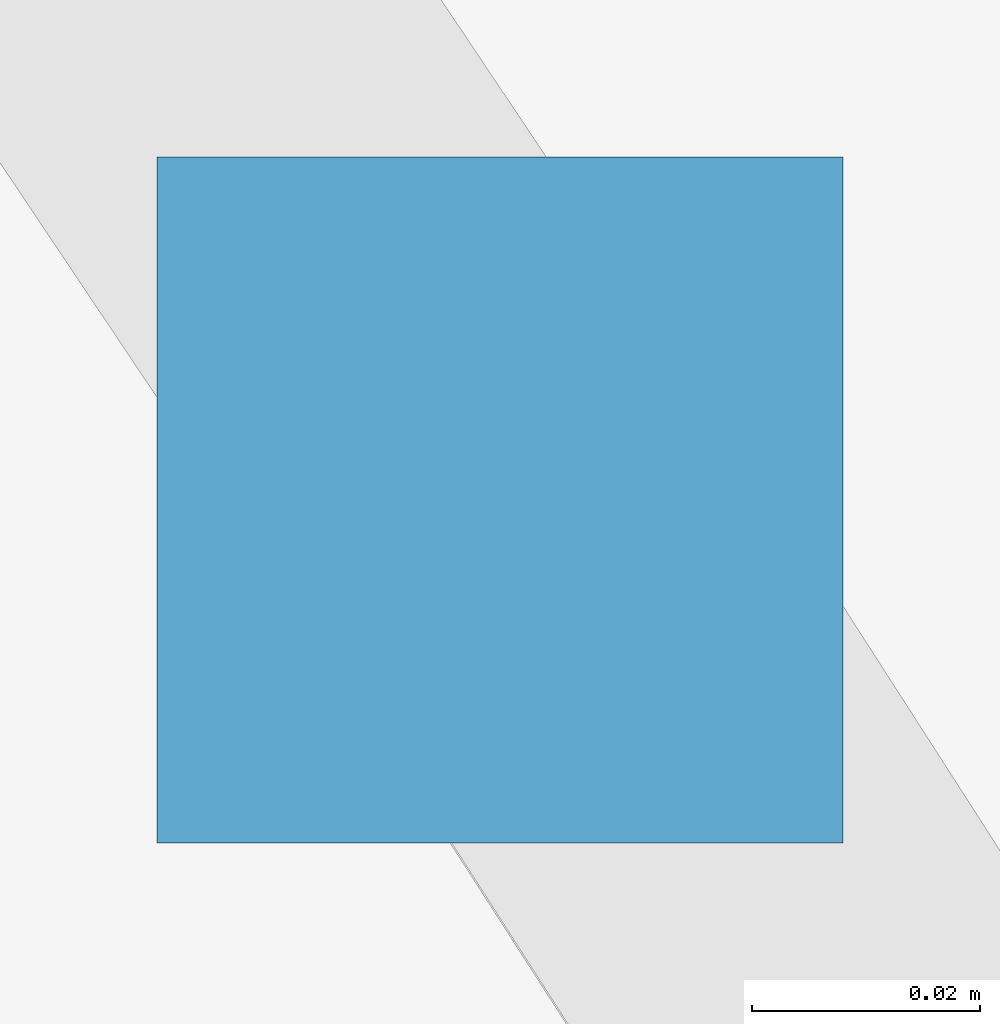
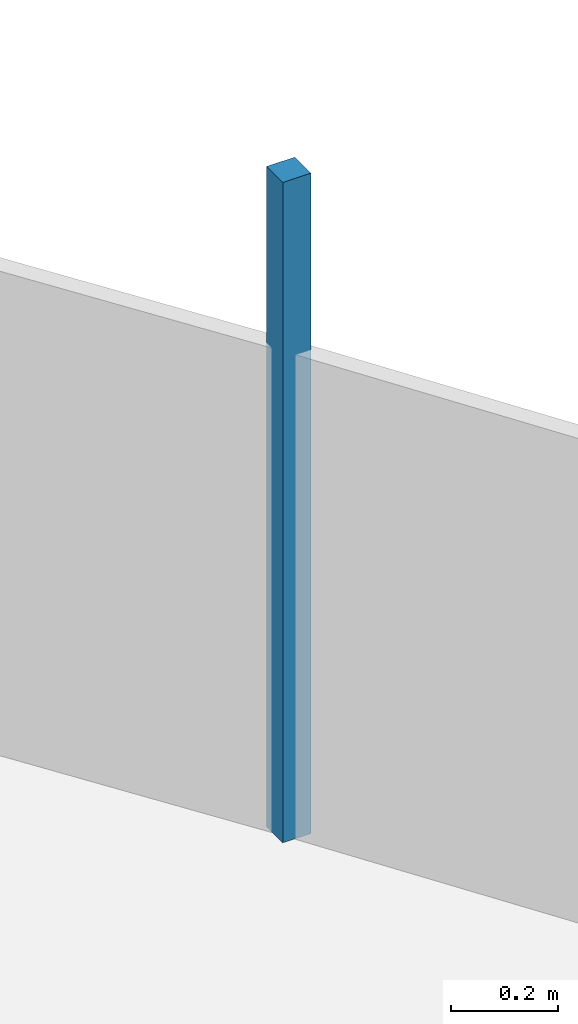
# One storey, part 8 of 9: 1 discrete accessory.
"""IFC4 building model written with IfcOpenShell, lengths in metres."""

from ifc_helpers import new_model, si_unit, direction, frame, origin, origin_2d, place, context, subcontext, project, spatial, rectangle, extrude, material, type_object, element, save


model = new_model("IFC4")

# Units and contexts
model_context = context("Model", 3, precision=1e-05, world=origin(), true_north=direction((0.0, 1.0)))
body_context = subcontext(model_context, "Body", "Model", "MODEL_VIEW")
ifc_project = project(units=[si_unit("LENGTHUNIT", "METRE"), si_unit("AREAUNIT", "SQUARE_METRE"), si_unit("VOLUMEUNIT", "CUBIC_METRE"), si_unit("PLANEANGLEUNIT", "RADIAN"), si_unit("MASSUNIT", "GRAM", prefix="KILO")], contexts=[model_context])

# Site, building, storey
site_placement = place(None, origin())
site = spatial("IfcSite", under=ifc_project, at=site_placement, CompositionType="ELEMENT")
building_placement = place(site_placement, origin())
building = spatial("IfcBuilding", under=site, at=building_placement, Name="Sierra Prisma Convention Tower", CompositionType="ELEMENT")
storey_placement = place(building_placement, frame((0.0, 0.0, 361.0)))
storey = spatial("IfcBuildingStorey", under=building, at=storey_placement, Name="Roof", CompositionType="ELEMENT", Elevation=361.0)

# Discrete accessory
ifc_material = material(Name="Copper")
discrete_accessory_type = type_object("IfcDiscreteAccessoryType", Name="Air terminal", PredefinedType="USERDEFINED", material=ifc_material)
discrete_accessory_placement = place(storey_placement, frame((14.478515625, 14.99658203125, 0.35009765625), z_axis=(0.0, 0.0, 1.0), x_axis=(1.0, 0.0, 0.0)))
element("IfcDiscreteAccessory", 1, at=discrete_accessory_placement, inside=storey, type_object=discrete_accessory_type, Name="Air terminal 42", ObjectType="AIR TERMINAL", PredefinedType="USERDEFINED", context=body_context, shape_type="SweptSolid", body=[
    extrude(rectangle(XDim=0.06005859375, YDim=0.06005859375, at=origin_2d()), origin(), (0.0, 0.0, 1.0), 1.5),
])

save(model, "model.ifc")
